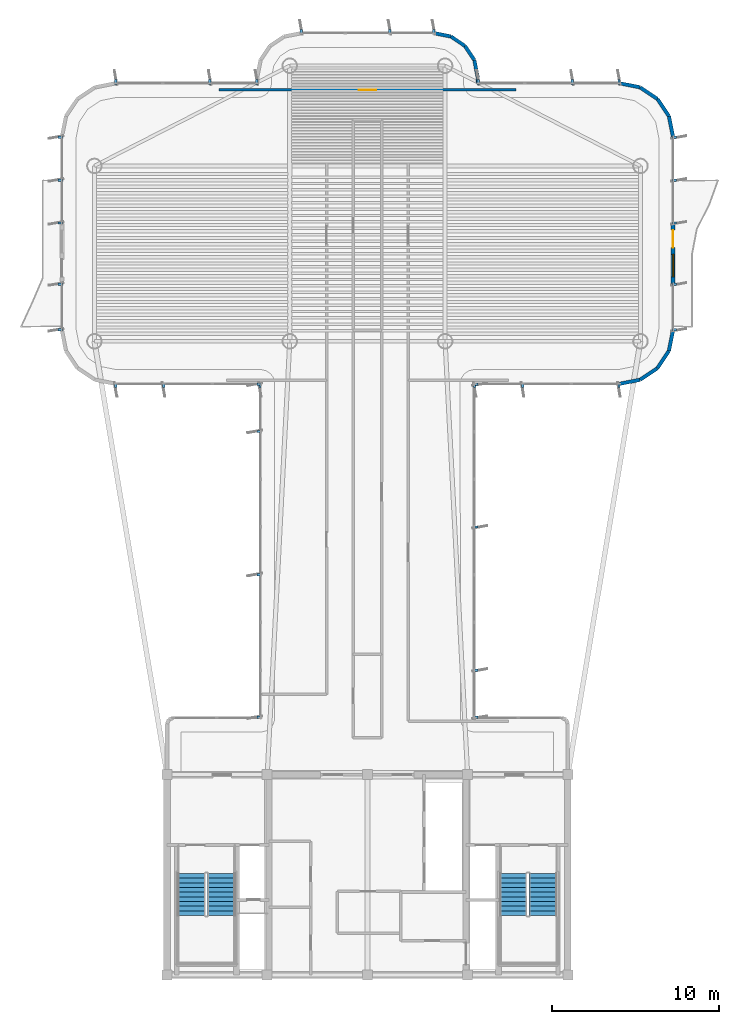
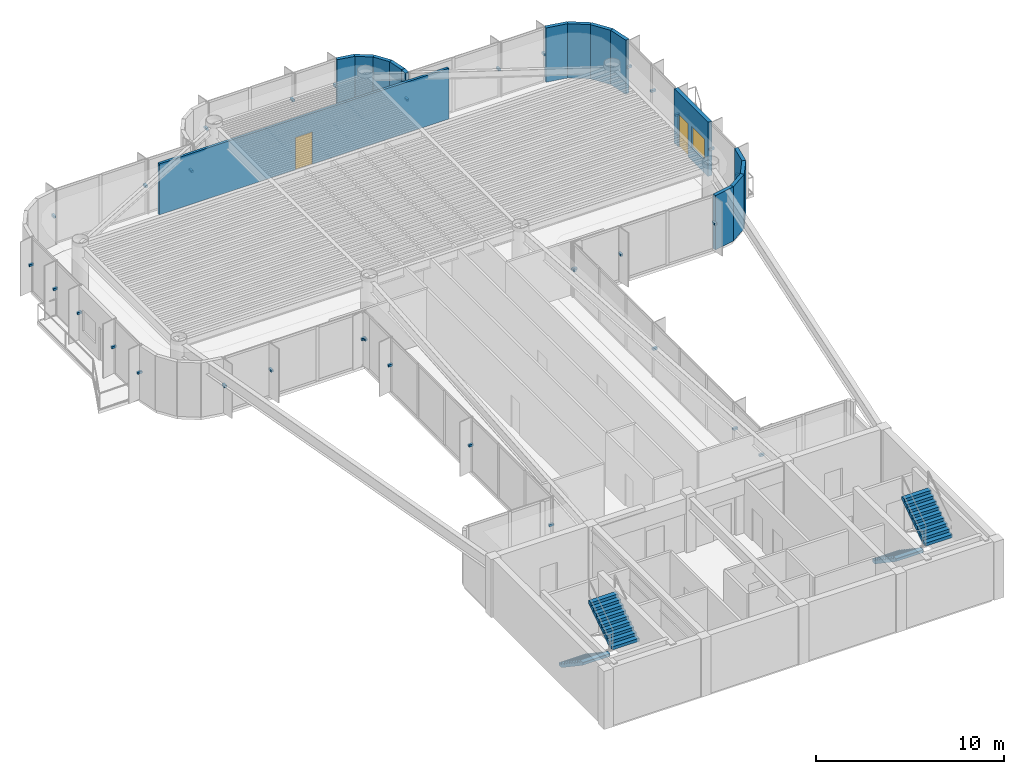
# One storey, part 12 of 14: 33 discrete accessories, 15 walls, 4 stair flights, 2 doors, 1 window, 3 openings, 2 elements without a shape of their own.
"""IFC4 building model written with IfcOpenShell, lengths in metres."""

from ifc_helpers import new_model, si_unit, direction, frame, frame_2d, origin, origin_2d, place, context, subcontext, project, spatial, polyline, rectangle, outline, extrude, source, transform, mapped, material, layer, layer_set, type_object, element, fill, aggregate, save


model = new_model("IFC4")

# Units and contexts
model_context = context("Model", 3, precision=1e-05, world=origin(), true_north=direction((0.0, 1.0)))
body_context = subcontext(model_context, "Body", "Model", "MODEL_VIEW")
ifc_project = project(units=[si_unit("LENGTHUNIT", "METRE"), si_unit("AREAUNIT", "SQUARE_METRE"), si_unit("VOLUMEUNIT", "CUBIC_METRE"), si_unit("PLANEANGLEUNIT", "RADIAN"), si_unit("MASSUNIT", "GRAM", prefix="KILO")], contexts=[model_context])

# Site, building, storey
site_placement = place(None, origin())
site = spatial("IfcSite", under=ifc_project, at=site_placement, CompositionType="ELEMENT")
building_placement = place(site_placement, origin())
building = spatial("IfcBuilding", under=site, at=building_placement, Name="Brelvock Crest Care Tower", CompositionType="ELEMENT")
storey_placement = place(building_placement, frame((0.0, 0.0, 257.0400390625)))
storey = spatial("IfcBuildingStorey", under=building, at=storey_placement, Name="L65", CompositionType="ELEMENT", Elevation=257.0400390625)

# Wall, openings, door, window
ifc_material_1 = material(Name="Precast concrete N40 (40 MPa)", Category="concrete")
ifc_layer_1 = layer(ifc_material_1, 0.239990234375, Name="WL-EX1")
ifc_layer_set_1 = layer_set([ifc_layer_1], Name="Precast concrete N40 (40 MPa)")
wall_type_1 = type_object("IfcWallType", Name="WL-EX1", PredefinedType="SOLIDWALL", material=ifc_layer_set_1)
wall_1_placement = place(storey_placement, frame((54.300048828125, 51.0, 0.0), z_axis=(0.0, 0.0, 1.0), x_axis=(0.0, -1.0, 0.0)))
wall_1 = element("IfcWall", 1, at=wall_1_placement, inside=storey, type_object=wall_type_1, Name="L65 Exterior Spandrel Wall WL-BAL-L65-E", PredefinedType="SOLIDWALL", context=body_context, shape_type="SweptSolid", body=[
    extrude(rectangle(XDim=3.60009765625, YDim=0.239990234375, at=frame_2d((1.800048828125, 0.0))), origin(), (0.0, 0.0, 1.0), 3.530029296875),
])
opening_1_placement = place(wall_1_placement, frame((0.39990234375, 0.0, 0.0)))
opening_1 = element("IfcOpeningElement", 2, at=opening_1_placement, cuts=wall_1, Name="Opening BD-1", PredefinedType="OPENING", context=body_context, shape_type="SweptSolid", body=[
    extrude(rectangle(XDim=1.050048828125, YDim=2.14990234375, at=origin_2d()), frame((0.52490234375, 0.1298828125, 1.074951171875), z_axis=(0.0, -1.0, 0.0), x_axis=(1.0, 0.0, 0.0)), (0.0, 0.0, 1.0), 0.260009765625),
])
opening_2_placement = place(wall_1_placement, frame((1.85009765625, 0.0, 0.85009765625)))
opening_2 = element("IfcOpeningElement", 3, at=opening_2_placement, cuts=wall_1, Name="Opening W-01", PredefinedType="OPENING", context=body_context, shape_type="SweptSolid", body=[
    extrude(rectangle(XDim=1.35009765625, YDim=1.35009765625, at=origin_2d()), frame((0.675048828125, 0.1298828125, 0.675048828125), z_axis=(0.0, -1.0, 0.0), x_axis=(1.0, 0.0, 0.0)), (0.0, 0.0, 1.0), 0.260009765625),
])
ifc_material_2 = material(Name="Dark Glass Double Glazed Low-E", Category="glass")
door_type_1 = type_object("IfcDoorType", Name="DR-BAL1", OperationType="NOTDEFINED", PredefinedType="DOOR", material=ifc_material_2)
shared_shape_1 = source(origin(), body_context, "Body", "SweptSolid", [
    extrude(rectangle(XDim=1.050048828125, YDim=2.14990234375, at=origin_2d()), frame((0.52490234375, 0.02490234375, 1.074951171875), z_axis=(0.0, -1.0, 0.0), x_axis=(1.0, 0.0, 0.0)), (0.0, 0.0, 1.0), 0.050048828125),
])
door_1_placement = place(opening_1_placement, origin())
door_1 = element("IfcDoor", 4, at=door_1_placement, inside=storey, type_object=door_type_1, Name="L65 E Wave Balcony Glazed Door", OperationType="SINGLE_SWING_RIGHT", OverallHeight=2.14990234375, OverallWidth=1.050048828125, PredefinedType="DOOR", context=body_context, shape_type="MappedRepresentation", body=[
    mapped(shared_shape_1, transform((0.0, 0.0, 0.0), x_axis=(1.0, 0.0, 0.0), y_axis=(0.0, 1.0, 0.0), z_axis=(0.0, 0.0, 1.0), scale=1.0)),
])
fill(opening_1, door_1)
window_type = type_object("IfcWindowType", Name="WN-EX1", PartitioningType="SINGLE_PANEL", PredefinedType="WINDOW", material=ifc_material_2)
shared_shape_2 = source(origin(), body_context, "Body", "SweptSolid", [
    extrude(rectangle(XDim=1.35009765625, YDim=1.35009765625, at=origin_2d()), frame((0.675048828125, 0.030029296875, 0.675048828125), z_axis=(0.0, -1.0, 0.0), x_axis=(1.0, 0.0, 0.0)), (0.0, 0.0, 1.0), 0.06005859375),
])
window_placement = place(opening_2_placement, origin())
window = element("IfcWindow", 5, at=window_placement, inside=storey, type_object=window_type, Name="L65 E Suite Casement Window", OverallHeight=1.35009765625, OverallWidth=1.35009765625, PartitioningType="SINGLE_PANEL", PredefinedType="WINDOW", context=body_context, shape_type="MappedRepresentation", body=[
    mapped(shared_shape_2, transform((0.0, 0.0, 0.0), x_axis=(1.0, 0.0, 0.0), y_axis=(0.0, 1.0, 0.0), z_axis=(0.0, 0.0, 1.0), scale=1.0)),
])
fill(opening_2, window)

# Walls
ifc_layer_2 = layer(ifc_material_1, 0.215087890625, Name="WL-EX2")
ifc_layer_set_2 = layer_set([ifc_layer_2], Name="Precast concrete N40 (40 MPa)")
wall_type_2 = type_object("IfcWallType", Name="WL-EX2", PredefinedType="SOLIDWALL", material=ifc_layer_set_2)
wall_2_placement = place(storey_placement, frame((40.0, 62.39990234375, 0.0), z_axis=(0.0, 0.0, 1.0), x_axis=(0.980820570666, -0.194912821943, 0.0)))
element("IfcWall", 6, at=wall_2_placement, inside=storey, type_object=wall_type_2, Name="L65 Rounded Corner Wall 29", PredefinedType="SOLIDWALL", context=body_context, shape_type="SweptSolid", body=[
    extrude(rectangle(XDim=1.0146484375, YDim=0.215087890625, at=frame_2d((0.50732421875, 0.0))), origin(), (0.0, 0.0, 1.0), 3.530029296875),
])
wall_3_placement = place(storey_placement, frame((40.9951171875, 62.2021484375, 0.0), z_axis=(0.0, 0.0, 1.0), x_axis=(0.831346067305, -0.555755086685, 0.0)))
element("IfcWall", 7, at=wall_3_placement, inside=storey, type_object=wall_type_2, Name="L65 Rounded Corner Wall 30", PredefinedType="SOLIDWALL", context=body_context, shape_type="SweptSolid", body=[
    extrude(rectangle(XDim=1.014404296875, YDim=0.215087890625, at=frame_2d((0.50732421875, 0.0))), origin(), (0.0, 0.0, 1.0), 3.530029296875),
])
wall_4_placement = place(storey_placement, frame((41.83837890625, 61.638427734375, 0.0), z_axis=(0.0, 0.0, 1.0), x_axis=(0.555643898837, -0.831420385657, 0.0)))
element("IfcWall", 8, at=wall_4_placement, inside=storey, type_object=wall_type_2, Name="L65 Rounded Corner Wall 31", PredefinedType="SOLIDWALL", context=body_context, shape_type="SweptSolid", body=[
    extrude(rectangle(XDim=1.0146484375, YDim=0.215087890625, at=frame_2d((0.50732421875, 0.0))), origin(), (0.0, 0.0, 1.0), 3.530029296875),
])
wall_5_placement = place(storey_placement, frame((42.402099609375, 60.794921875, 0.0), z_axis=(0.0, 0.0, 1.0), x_axis=(0.195190360752, -0.980765376158, 0.0)))
element("IfcWall", 9, at=wall_5_placement, inside=storey, type_object=wall_type_2, Name="L65 Rounded Corner Wall 32", PredefinedType="SOLIDWALL", context=body_context, shape_type="SweptSolid", body=[
    extrude(rectangle(XDim=1.014404296875, YDim=0.215087890625, at=frame_2d((0.50732421875, 0.0))), origin(), (0.0, 0.0, 1.0), 3.530029296875),
])
wall_6_placement = place(storey_placement, frame((42.60009765625, 59.800048828125, 0.0), z_axis=(0.0, 0.0, 1.0), x_axis=(0.0, -1.0, 0.0)))
element("IfcWall", 10, at=wall_6_placement, inside=storey, type_object=wall_type_2, Name="L65 Rounded Corner Wall 33", PredefinedType="SOLIDWALL", context=body_context, shape_type="SweptSolid", body=[
    extrude(rectangle(XDim=0.400146484375, YDim=0.215087890625, at=frame_2d((0.2001953125, 0.0))), origin(), (0.0, 0.0, 1.0), 3.530029296875),
])
for number, where, z_axis, x_axis, name in (
    (11, (51.10009765625, 59.39990234375, 0.0), (0.0, 0.0, 1.0), (0.980813122964, -0.194950295773, 0.0), "L65 Rounded Corner Wall 35"),
    (12, (52.32470703125, 59.156494140625, 0.0), (0.0, 0.0, 1.0), (0.831387912822, -0.555692485475, 0.0), "L65 Rounded Corner Wall 36"),
    (13, (53.36279296875, 58.462646484375, 0.0), (0.0, 0.0, 1.0), (0.555557312883, -0.831478245117, 0.0), "L65 Rounded Corner Wall 37"),
    (14, (54.056396484375, 57.424560546875, 0.0), (0.0, 0.0, 1.0), (0.195138390419, -0.980775717779, 0.0), "L65 Rounded Corner Wall 38"),
    (15, (54.300048828125, 44.60009765625, 0.0), (0.0, 0.0, 1.0), (-0.195138390419, -0.980775717779, 0.0), "L65 Rounded Corner Wall 40"),
    (16, (54.056396484375, 43.37548828125, 0.0), (0.0, 0.0, 1.0), (-0.555557312883, -0.831478245117, 0.0), "L65 Rounded Corner Wall 41"),
    (17, (53.36279296875, 42.33740234375, 0.0), (0.0, 0.0, 1.0), (-0.831387912822, -0.555692485475, 0.0), "L65 Rounded Corner Wall 42"),
    (18, (52.32470703125, 41.6435546875, 0.0), (0.0, 0.0, 1.0), (-0.980775717779, -0.195138390419, 0.0), "L65 Rounded Corner Wall 43"),
):
    element("IfcWall", number, at=place(storey_placement, frame(where, z_axis=z_axis, x_axis=x_axis)), inside=storey, type_object=wall_type_2, Name=name, PredefinedType="SOLIDWALL", context=body_context, shape_type="SweptSolid", body=[
        extrude(rectangle(XDim=1.24853515625, YDim=0.215087890625, at=frame_2d((0.624267578125, 0.0))), origin(), (0.0, 0.0, 1.0), 3.530029296875),
    ])

# Wall, opening, door
ifc_material_3 = material(Name="Masonry Blockwork Acoustic Partition", Category="masonry")
ifc_layer_3 = layer(ifc_material_3, 0.14990234375, Name="WL-INT1")
ifc_layer_set_3 = layer_set([ifc_layer_3], Name="Masonry Blockwork Acoustic Partition")
wall_type_3 = type_object("IfcWallType", Name="WL-INT1", PredefinedType="PARTITIONING", material=ifc_layer_set_3)
wall_7_placement = place(storey_placement, frame((27.10009765625, 59.0, 0.0), z_axis=(0.0, 0.0, 1.0), x_axis=(1.0, 0.0, 0.0)))
wall_7 = element("IfcWall", 19, at=wall_7_placement, inside=storey, type_object=wall_type_3, Name="L65 Interior Wall WL-RM-L65-NHUB", PredefinedType="PARTITIONING", context=body_context, shape_type="SweptSolid", body=[
    extrude(rectangle(XDim=17.7998046875, YDim=0.14990234375, at=frame_2d((8.89990234375, 0.0))), origin(), (0.0, 0.0, 1.0), 3.307861328125),
])
opening_3_placement = place(wall_7_placement, frame((8.375, 0.0, 0.0)))
opening_3 = element("IfcOpeningElement", 20, at=opening_3_placement, cuts=wall_7, Name="Opening CLD-1", PredefinedType="OPENING", context=body_context, shape_type="SweptSolid", body=[
    extrude(rectangle(XDim=1.050048828125, YDim=2.10009765625, at=origin_2d()), frame((0.52490234375, 0.0849609375, 1.050048828125), z_axis=(0.0, -1.0, 0.0), x_axis=(1.0, 0.0, 0.0)), (0.0, 0.0, 1.0), 0.169921875),
])
ifc_material_4 = material(Name="Engineered Hardwood Timber", Category="wood")
door_type_2 = type_object("IfcDoorType", Name="DR-CLN1", OperationType="NOTDEFINED", PredefinedType="DOOR", material=ifc_material_4)
shared_shape_3 = source(origin(), body_context, "Body", "SweptSolid", [
    extrude(rectangle(XDim=1.050048828125, YDim=2.10009765625, at=origin_2d()), frame((0.52490234375, 0.02490234375, 1.050048828125), z_axis=(0.0, -1.0, 0.0), x_axis=(1.0, 0.0, 0.0)), (0.0, 0.0, 1.0), 0.050048828125),
])
door_2_placement = place(opening_3_placement, origin())
door_2 = element("IfcDoor", 21, at=door_2_placement, inside=storey, type_object=door_type_2, Name="L65 Harbour Lookout Dining Salon Door NHUB", OperationType="SINGLE_SWING_LEFT", OverallHeight=2.10009765625, OverallWidth=1.050048828125, PredefinedType="DOOR", context=body_context, shape_type="MappedRepresentation", body=[
    mapped(shared_shape_3, transform((0.0, 0.0, 0.0), x_axis=(1.0, 0.0, 0.0), y_axis=(0.0, 1.0, 0.0), z_axis=(0.0, 0.0, 1.0), scale=1.0)),
])
fill(opening_3, door_2)

# Stair, stair flights
ifc_material_5 = material(Name="Concrete N40 (40 MPa)", Category="concrete")
stair_type = type_object("IfcStairType", Name="ST-CORE1", PredefinedType="HALF_TURN_STAIR", material=ifc_material_5)
stair_1_placement = place(storey_placement, origin())
stair_1 = element("IfcStair", 22, at=stair_1_placement, inside=storey, type_object=stair_type, Name="L65 Fire-Isolated Core Stair ST-1", PredefinedType="HALF_TURN_STAIR")
stair_flight_type = type_object("IfcStairFlightType", Name="STF-1", PredefinedType="STRAIGHT", material=ifc_material_5)
stair_flight_1_placement = place(storey_placement, frame((25.469970703125, 12.080078125, 0.0), z_axis=(0.0, 0.0, 1.0), x_axis=(0.0, -1.0, 0.0)))
stair_flight_1 = element("IfcStairFlight", 23, at=stair_flight_1_placement, type_object=stair_flight_type, Name="ST-1 flight 1", NumberOfRisers=10, NumberOfTreads=9, PredefinedType="STRAIGHT", RiserHeight=0.189, TreadLength=0.28, context=body_context, shape_type="SweptSolid", body=[
    extrude(outline(polyline([(-0.00390625, -0.014892578125), (-0.00390625, -0.0078125), (-0.00390625, -0.00048828125), (-0.00390625, 0.0068359375), (-0.00390625, 0.01416015625), (-0.00390625, 0.021484375), (-0.00390625, 0.02880859375), (-0.00390625, 0.035888671875), (-0.00390625, 0.043212890625), (-0.00390625, 0.050537109375), (-0.00390625, 0.057861328125), (-0.00390625, 0.065185546875), (-0.00390625, 0.072509765625), (-0.00390625, 0.07958984375), (-0.00390625, 0.0869140625), (-0.00390625, 0.09423828125), (-0.00390625, 0.1015625), (-0.00390625, 0.10888671875), (-0.00390625, 0.1162109375), (-0.00390625, 0.12353515625), (-0.00390625, 0.130615234375), (-0.00390625, 0.137939453125), (-0.00390625, 0.145263671875), (-0.00390625, 0.152587890625), (-0.00390625, 0.159912109375), (-0.00390625, 0.167236328125), (-0.00390625, 0.17431640625), (-0.00390625, 0.181640625), (-0.00390625, 0.18896484375), (0.0, 0.18896484375), (0.280029296875, 0.18896484375), (0.280029296875, 0.3779296875), (0.56005859375, 0.3779296875), (0.56005859375, 0.56689453125), (0.840087890625, 0.56689453125), (0.840087890625, 0.756103515625), (1.1201171875, 0.756103515625), (1.1201171875, 0.945068359375), (1.39990234375, 0.945068359375), (1.39990234375, 1.134033203125), (1.679931640625, 1.134033203125), (1.679931640625, 1.322998046875), (1.9599609375, 1.322998046875), (1.9599609375, 1.511962890625), (2.239990234375, 1.511962890625), (2.239990234375, 1.700927734375), (2.52001953125, 1.700927734375), (2.52392578125, 1.700927734375), (2.523681640625, 1.70068359375), (2.52392578125, 1.700439453125), (2.523681640625, 1.699951171875), (2.52392578125, 1.69970703125), (2.523681640625, 1.699462890625), (2.52392578125, 1.698974609375), (2.523681640625, 1.69873046875), (2.52392578125, 1.698486328125), (2.523681640625, 1.697998046875), (2.52392578125, 1.69775390625), (2.523681640625, 1.697509765625), (2.52392578125, 1.697021484375), (2.523681640625, 1.69677734375), (2.52392578125, 1.696533203125), (2.523681640625, 1.6962890625), (2.52392578125, 1.69580078125), (2.523681640625, 1.695556640625), (2.52392578125, 1.6953125), (2.523681640625, 1.69482421875), (2.52392578125, 1.694580078125), (2.523681640625, 1.6943359375), (2.52392578125, 1.69384765625), (2.523681640625, 1.693603515625), (2.52392578125, 1.693359375), (2.523681640625, 1.69287109375), (2.52392578125, 1.692626953125), (2.523681640625, 1.6923828125), (2.52392578125, 1.69189453125), (2.52001953125, 1.520263671875), (0.267822265625, 0.0), (0.0, 0.0), (0.0, -0.014892578125), (-0.00390625, -0.014892578125)])), frame((0.0, 0.83984375, 0.0), z_axis=(0.0, -1.0, 0.0), x_axis=(1.0, 0.0, 0.0)), (0.0, 0.0, 1.0), 1.679931640625),
])
stair_flight_2_placement = place(storey_placement, frame((27.27001953125, 9.56005859375, 1.889892578125), z_axis=(0.0, 0.0, 1.0), x_axis=(0.0, 1.0, 0.0)))
stair_flight_2 = element("IfcStairFlight", 24, at=stair_flight_2_placement, type_object=stair_flight_type, Name="ST-1 flight 2", NumberOfRisers=10, NumberOfTreads=9, PredefinedType="STRAIGHT", RiserHeight=0.189, TreadLength=0.28, context=body_context, shape_type="SweptSolid", body=[
    extrude(outline(polyline([(-0.00390625, -0.014892578125), (-0.00390625, -0.0078125), (-0.00390625, -0.00048828125), (-0.00390625, 0.0068359375), (-0.00390625, 0.01416015625), (-0.00390625, 0.021484375), (-0.00390625, 0.02880859375), (-0.00390625, 0.035888671875), (-0.00390625, 0.043212890625), (-0.00390625, 0.050537109375), (-0.00390625, 0.057861328125), (-0.00390625, 0.065185546875), (-0.00390625, 0.072509765625), (-0.00390625, 0.07958984375), (-0.00390625, 0.0869140625), (-0.00390625, 0.09423828125), (-0.00390625, 0.1015625), (-0.00390625, 0.10888671875), (-0.00390625, 0.1162109375), (-0.00390625, 0.12353515625), (-0.00390625, 0.130615234375), (-0.00390625, 0.137939453125), (-0.00390625, 0.145263671875), (-0.00390625, 0.152587890625), (-0.00390625, 0.159912109375), (-0.00390625, 0.167236328125), (-0.00390625, 0.17431640625), (-0.00390625, 0.181640625), (-0.00390625, 0.18896484375), (0.0, 0.18896484375), (0.280029296875, 0.18896484375), (0.280029296875, 0.3779296875), (0.56005859375, 0.3779296875), (0.56005859375, 0.56689453125), (0.840087890625, 0.56689453125), (0.840087890625, 0.756103515625), (1.1201171875, 0.756103515625), (1.1201171875, 0.945068359375), (1.39990234375, 0.945068359375), (1.39990234375, 1.134033203125), (1.679931640625, 1.134033203125), (1.679931640625, 1.322998046875), (1.9599609375, 1.322998046875), (1.9599609375, 1.511962890625), (2.239990234375, 1.511962890625), (2.239990234375, 1.700927734375), (2.52001953125, 1.700927734375), (2.52392578125, 1.700927734375), (2.523681640625, 1.70068359375), (2.52392578125, 1.700439453125), (2.523681640625, 1.699951171875), (2.52392578125, 1.69970703125), (2.523681640625, 1.699462890625), (2.52392578125, 1.698974609375), (2.523681640625, 1.69873046875), (2.52392578125, 1.698486328125), (2.523681640625, 1.697998046875), (2.52392578125, 1.69775390625), (2.523681640625, 1.697509765625), (2.52392578125, 1.697021484375), (2.523681640625, 1.69677734375), (2.52392578125, 1.696533203125), (2.523681640625, 1.6962890625), (2.52392578125, 1.69580078125), (2.523681640625, 1.695556640625), (2.52392578125, 1.6953125), (2.523681640625, 1.69482421875), (2.52392578125, 1.694580078125), (2.523681640625, 1.6943359375), (2.52392578125, 1.69384765625), (2.523681640625, 1.693603515625), (2.52392578125, 1.693359375), (2.523681640625, 1.69287109375), (2.52392578125, 1.692626953125), (2.523681640625, 1.6923828125), (2.52392578125, 1.69189453125), (2.52001953125, 1.520263671875), (0.267822265625, 0.0), (0.0, 0.0), (0.0, -0.014892578125), (-0.00390625, -0.014892578125)])), frame((0.0, 0.83984375, 0.0), z_axis=(0.0, -1.0, 0.0), x_axis=(1.0, 0.0, 0.0)), (0.0, 0.0, 1.0), 1.679931640625),
])
aggregate(stair_1, [stair_flight_1, stair_flight_2])

stair_2_placement = place(storey_placement, origin())
stair_2 = element("IfcStair", 25, at=stair_2_placement, inside=storey, type_object=stair_type, Name="L65 Fire-Isolated Core Stair ST-2", PredefinedType="HALF_TURN_STAIR")
stair_flight_3_placement = place(storey_placement, frame((44.72998046875, 12.080078125, 0.0), z_axis=(0.0, 0.0, 1.0), x_axis=(0.0, -1.0, 0.0)))
stair_flight_3 = element("IfcStairFlight", 26, at=stair_flight_3_placement, type_object=stair_flight_type, Name="ST-2 flight 1", NumberOfRisers=10, NumberOfTreads=9, PredefinedType="STRAIGHT", RiserHeight=0.189, TreadLength=0.28, context=body_context, shape_type="SweptSolid", body=[
    extrude(outline(polyline([(-0.00390625, -0.014892578125), (-0.00390625, -0.0078125), (-0.00390625, -0.00048828125), (-0.00390625, 0.0068359375), (-0.00390625, 0.01416015625), (-0.00390625, 0.021484375), (-0.00390625, 0.02880859375), (-0.00390625, 0.035888671875), (-0.00390625, 0.043212890625), (-0.00390625, 0.050537109375), (-0.00390625, 0.057861328125), (-0.00390625, 0.065185546875), (-0.00390625, 0.072509765625), (-0.00390625, 0.07958984375), (-0.00390625, 0.0869140625), (-0.00390625, 0.09423828125), (-0.00390625, 0.1015625), (-0.00390625, 0.10888671875), (-0.00390625, 0.1162109375), (-0.00390625, 0.12353515625), (-0.00390625, 0.130615234375), (-0.00390625, 0.137939453125), (-0.00390625, 0.145263671875), (-0.00390625, 0.152587890625), (-0.00390625, 0.159912109375), (-0.00390625, 0.167236328125), (-0.00390625, 0.17431640625), (-0.00390625, 0.181640625), (-0.00390625, 0.18896484375), (0.0, 0.18896484375), (0.280029296875, 0.18896484375), (0.280029296875, 0.3779296875), (0.56005859375, 0.3779296875), (0.56005859375, 0.56689453125), (0.840087890625, 0.56689453125), (0.840087890625, 0.756103515625), (1.1201171875, 0.756103515625), (1.1201171875, 0.945068359375), (1.39990234375, 0.945068359375), (1.39990234375, 1.134033203125), (1.679931640625, 1.134033203125), (1.679931640625, 1.322998046875), (1.9599609375, 1.322998046875), (1.9599609375, 1.511962890625), (2.239990234375, 1.511962890625), (2.239990234375, 1.700927734375), (2.52001953125, 1.700927734375), (2.52392578125, 1.700927734375), (2.523681640625, 1.70068359375), (2.52392578125, 1.700439453125), (2.523681640625, 1.699951171875), (2.52392578125, 1.69970703125), (2.523681640625, 1.699462890625), (2.52392578125, 1.698974609375), (2.523681640625, 1.69873046875), (2.52392578125, 1.698486328125), (2.523681640625, 1.697998046875), (2.52392578125, 1.69775390625), (2.523681640625, 1.697509765625), (2.52392578125, 1.697021484375), (2.523681640625, 1.69677734375), (2.52392578125, 1.696533203125), (2.523681640625, 1.6962890625), (2.52392578125, 1.69580078125), (2.523681640625, 1.695556640625), (2.52392578125, 1.6953125), (2.523681640625, 1.69482421875), (2.52392578125, 1.694580078125), (2.523681640625, 1.6943359375), (2.52392578125, 1.69384765625), (2.523681640625, 1.693603515625), (2.52392578125, 1.693359375), (2.523681640625, 1.69287109375), (2.52392578125, 1.692626953125), (2.523681640625, 1.6923828125), (2.52392578125, 1.69189453125), (2.52001953125, 1.520263671875), (0.267822265625, 0.0), (0.0, 0.0), (0.0, -0.014892578125), (-0.00390625, -0.014892578125)])), frame((0.0, 0.83984375, 0.0), z_axis=(0.0, -1.0, 0.0), x_axis=(1.0, 0.0, 0.0)), (0.0, 0.0, 1.0), 1.679931640625),
])
stair_flight_4_placement = place(storey_placement, frame((46.530029296875, 9.56005859375, 1.889892578125), z_axis=(0.0, 0.0, 1.0), x_axis=(0.0, 1.0, 0.0)))
stair_flight_4 = element("IfcStairFlight", 27, at=stair_flight_4_placement, type_object=stair_flight_type, Name="ST-2 flight 2", NumberOfRisers=10, NumberOfTreads=9, PredefinedType="STRAIGHT", RiserHeight=0.189, TreadLength=0.28, context=body_context, shape_type="SweptSolid", body=[
    extrude(outline(polyline([(-0.00390625, -0.014892578125), (-0.00390625, -0.0078125), (-0.00390625, -0.00048828125), (-0.00390625, 0.0068359375), (-0.00390625, 0.01416015625), (-0.00390625, 0.021484375), (-0.00390625, 0.02880859375), (-0.00390625, 0.035888671875), (-0.00390625, 0.043212890625), (-0.00390625, 0.050537109375), (-0.00390625, 0.057861328125), (-0.00390625, 0.065185546875), (-0.00390625, 0.072509765625), (-0.00390625, 0.07958984375), (-0.00390625, 0.0869140625), (-0.00390625, 0.09423828125), (-0.00390625, 0.1015625), (-0.00390625, 0.10888671875), (-0.00390625, 0.1162109375), (-0.00390625, 0.12353515625), (-0.00390625, 0.130615234375), (-0.00390625, 0.137939453125), (-0.00390625, 0.145263671875), (-0.00390625, 0.152587890625), (-0.00390625, 0.159912109375), (-0.00390625, 0.167236328125), (-0.00390625, 0.17431640625), (-0.00390625, 0.181640625), (-0.00390625, 0.18896484375), (0.0, 0.18896484375), (0.280029296875, 0.18896484375), (0.280029296875, 0.3779296875), (0.56005859375, 0.3779296875), (0.56005859375, 0.56689453125), (0.840087890625, 0.56689453125), (0.840087890625, 0.756103515625), (1.1201171875, 0.756103515625), (1.1201171875, 0.945068359375), (1.39990234375, 0.945068359375), (1.39990234375, 1.134033203125), (1.679931640625, 1.134033203125), (1.679931640625, 1.322998046875), (1.9599609375, 1.322998046875), (1.9599609375, 1.511962890625), (2.239990234375, 1.511962890625), (2.239990234375, 1.700927734375), (2.52001953125, 1.700927734375), (2.52392578125, 1.700927734375), (2.523681640625, 1.70068359375), (2.52392578125, 1.700439453125), (2.523681640625, 1.699951171875), (2.52392578125, 1.69970703125), (2.523681640625, 1.699462890625), (2.52392578125, 1.698974609375), (2.523681640625, 1.69873046875), (2.52392578125, 1.698486328125), (2.523681640625, 1.697998046875), (2.52392578125, 1.69775390625), (2.523681640625, 1.697509765625), (2.52392578125, 1.697021484375), (2.523681640625, 1.69677734375), (2.52392578125, 1.696533203125), (2.523681640625, 1.6962890625), (2.52392578125, 1.69580078125), (2.523681640625, 1.695556640625), (2.52392578125, 1.6953125), (2.523681640625, 1.69482421875), (2.52392578125, 1.694580078125), (2.523681640625, 1.6943359375), (2.52392578125, 1.69384765625), (2.523681640625, 1.693603515625), (2.52392578125, 1.693359375), (2.523681640625, 1.69287109375), (2.52392578125, 1.692626953125), (2.523681640625, 1.6923828125), (2.52392578125, 1.69189453125), (2.52001953125, 1.520263671875), (0.267822265625, 0.0), (0.0, 0.0), (0.0, -0.014892578125), (-0.00390625, -0.014892578125)])), frame((0.0, 0.83984375, 0.0), z_axis=(0.0, -1.0, 0.0), x_axis=(1.0, 0.0, 0.0)), (0.0, 0.0, 1.0), 1.679931640625),
])
aggregate(stair_2, [stair_flight_3, stair_flight_4])

# Discrete accessories
ifc_material_6 = material(Name="Steel Grade 350", Category="steel")
discrete_accessory_type = type_object("IfcDiscreteAccessoryType", Name="ACC-BRK1", PredefinedType="BRACKET", material=ifc_material_6)
shared_shape_4 = source(origin(), body_context, "Body", "SweptSolid", [
    extrude(rectangle(XDim=0.280029296875, YDim=0.139892578125, at=origin_2d()), origin(), (0.0, 0.0, 1.0), 0.139892578125),
])
for number, where, z_axis, x_axis, name in (
    (28, (29.52001953125, 21.429931640625, 1.69482421875), (0.0, 0.0, 1.0), (-1.0, 0.0, 0.0), "L65 Facade Fin Bracket E11-01"),
    (29, (29.52001953125, 29.971435546875, 1.69482421875), (0.0, 0.0, 1.0), (-1.0, 0.0, 0.0), "L65 Facade Fin Bracket E11-04"),
    (30, (29.52001953125, 38.54296875, 1.69482421875), (0.0, 0.0, 1.0), (-1.0, 0.0, 0.0), "L65 Facade Fin Bracket E11-07"),
    (31, (29.52001953125, 41.3701171875, 1.69482421875), (0.0, 0.0, 1.0), (-1.0, 0.0, 0.0), "L65 Facade Fin Bracket E11-08"),
    (32, (29.570068359375, 41.320068359375, 1.69482421875), (0.0, 0.0, 1.0), (0.0, -1.0, 0.0), "L65 Facade Fin Bracket E12-01"),
    (33, (23.800048828125, 41.320068359375, 1.69482421875), (0.0, 0.0, 1.0), (0.0, -1.0, 0.0), "L65 Facade Fin Bracket E12-03"),
    (34, (20.929931640625, 41.320068359375, 1.69482421875), (0.0, 0.0, 1.0), (0.0, -1.0, 0.0), "L65 Facade Fin Bracket E12-04"),
    (35, (17.6201171875, 44.6298828125, 1.69482421875), (0.0, 0.0, 1.0), (-1.0, 0.0, 0.0), "L65 Facade Fin Bracket E17A-01"),
    (36, (17.6201171875, 47.3701171875, 1.69482421875), (0.0, 0.0, 1.0), (-1.0, 0.0, 0.0), "L65 Facade Fin Bracket E17A-02"),
    (37, (17.6201171875, 51.030029296875, 1.69482421875), (0.0, 0.0, 1.0), (-1.0, 0.0, 0.0), "L65 Facade Fin Bracket E17B-01"),
    (38, (17.6201171875, 53.60009765625, 1.69482421875), (0.0, 0.0, 1.0), (-1.0, 0.0, 0.0), "L65 Facade Fin Bracket E17B-02"),
    (39, (17.6201171875, 56.169921875, 1.69482421875), (0.0, 0.0, 1.0), (-1.0, 0.0, 0.0), "L65 Facade Fin Bracket E17B-03"),
    (40, (20.929931640625, 59.47998046875, 1.69482421875), (0.0, 0.0, 1.0), (0.0, 1.0, 0.0), "L65 Facade Fin Bracket E22-01"),
    (41, (26.566650390625, 59.47998046875, 1.69482421875), (0.0, 0.0, 1.0), (0.0, 1.0, 0.0), "L65 Facade Fin Bracket E22-03"),
    (42, (29.3701171875, 59.47998046875, 1.69482421875), (0.0, 0.0, 1.0), (0.0, 1.0, 0.0), "L65 Facade Fin Bracket E22-04"),
    (43, (32.030029296875, 62.47998046875, 1.69482421875), (0.0, 0.0, 1.0), (0.0, 1.0, 0.0), "L65 Facade Fin Bracket E28-01"),
    (44, (37.333251953125, 62.47998046875, 1.69482421875), (0.0, 0.0, 1.0), (0.0, 1.0, 0.0), "L65 Facade Fin Bracket E28-03"),
    (45, (39.969970703125, 62.47998046875, 1.69482421875), (0.0, 0.0, 1.0), (0.0, 1.0, 0.0), "L65 Facade Fin Bracket E28-04"),
    (46, (42.6298828125, 59.47998046875, 1.69482421875), (0.0, 0.0, 1.0), (0.0, 1.0, 0.0), "L65 Facade Fin Bracket E34-01"),
    (47, (48.2666015625, 59.47998046875, 1.69482421875), (0.0, 0.0, 1.0), (0.0, 1.0, 0.0), "L65 Facade Fin Bracket E34-03"),
    (48, (51.070068359375, 59.47998046875, 1.69482421875), (0.0, 0.0, 1.0), (0.0, 1.0, 0.0), "L65 Facade Fin Bracket E34-04"),
    (49, (54.3798828125, 56.169921875, 1.69482421875), (0.0, 0.0, 1.0), (1.0, 0.0, 0.0), "L65 Facade Fin Bracket E39A-01"),
    (50, (54.3798828125, 53.60009765625, 1.69482421875), (0.0, 0.0, 1.0), (1.0, 0.0, 0.0), "L65 Facade Fin Bracket E39A-02"),
    (51, (54.3798828125, 51.030029296875, 1.69482421875), (0.0, 0.0, 1.0), (1.0, 0.0, 0.0), "L65 Facade Fin Bracket E39A-03"),
    (52, (54.3798828125, 47.3701171875, 1.69482421875), (0.0, 0.0, 1.0), (1.0, 0.0, 0.0), "L65 Facade Fin Bracket E39B-01"),
    (53, (54.3798828125, 44.6298828125, 1.69482421875), (0.0, 0.0, 1.0), (1.0, 0.0, 0.0), "L65 Facade Fin Bracket E39B-02"),
    (54, (51.070068359375, 41.320068359375, 1.69482421875), (0.0, 0.0, 1.0), (0.0, -1.0, 0.0), "L65 Facade Fin Bracket E44-01"),
    (55, (45.300048828125, 41.320068359375, 1.69482421875), (0.0, 0.0, 1.0), (0.0, -1.0, 0.0), "L65 Facade Fin Bracket E44-03"),
    (56, (42.429931640625, 41.320068359375, 1.69482421875), (0.0, 0.0, 1.0), (0.0, -1.0, 0.0), "L65 Facade Fin Bracket E44-04"),
    (57, (42.47998046875, 41.3701171875, 1.69482421875), (0.0, 0.0, 1.0), (1.0, 0.0, 0.0), "L65 Facade Fin Bracket E45-01"),
    (58, (42.47998046875, 32.82861328125, 1.69482421875), (0.0, 0.0, 1.0), (1.0, 0.0, 0.0), "L65 Facade Fin Bracket E45-04"),
    (59, (42.47998046875, 24.257080078125, 1.69482421875), (0.0, 0.0, 1.0), (1.0, 0.0, 0.0), "L65 Facade Fin Bracket E45-07"),
    (60, (42.47998046875, 21.429931640625, 1.69482421875), (0.0, 0.0, 1.0), (1.0, 0.0, 0.0), "L65 Facade Fin Bracket E45-08"),
):
    element("IfcDiscreteAccessory", number, at=place(storey_placement, frame(where, z_axis=z_axis, x_axis=x_axis)), inside=storey, type_object=discrete_accessory_type, Name=name, PredefinedType="BRACKET", context=body_context, shape_type="MappedRepresentation", body=[
        mapped(shared_shape_4, transform((0.0, 0.0, 0.0), x_axis=(1.0, 0.0, 0.0), y_axis=(0.0, 1.0, 0.0), z_axis=(0.0, 0.0, 1.0), scale=1.0)),
    ])

save(model, "model.ifc")
